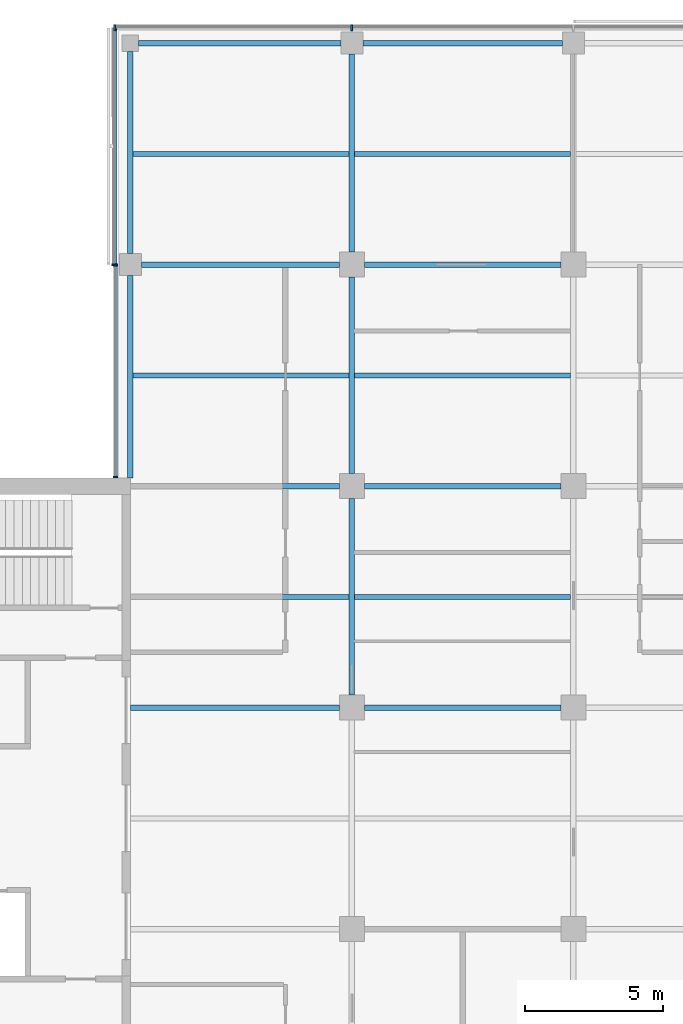
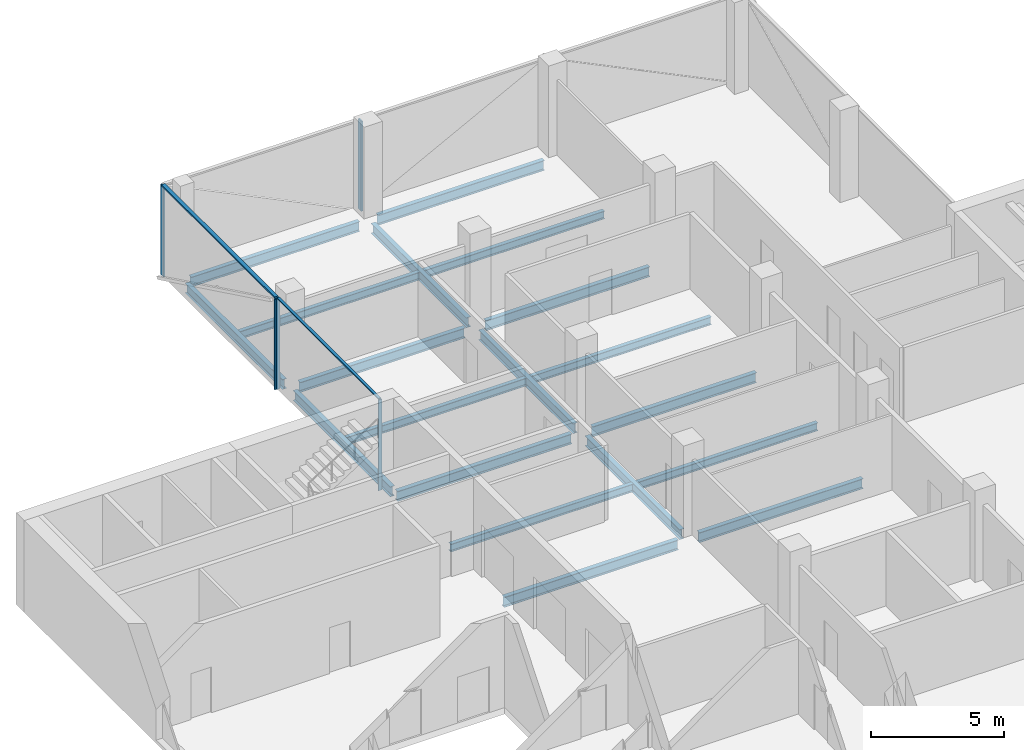
# One storey, part 5 of 15: 19 beams, 7 members, 3 elements without a shape of their own.
"""IFC4 building model written with IfcOpenShell, lengths in metres."""

from ifc_helpers import new_model, si_unit, direction, frame, origin, origin_2d, place, context, subcontext, project, spatial, rectangle, i_section, extrude, material, material_profile, profile_set, type_object, element, aggregate, save


model = new_model("IFC4")

# Units and contexts
model_context = context("Model", 3, precision=1e-05, world=origin(), true_north=direction((0.0, 1.0)))
body_context = subcontext(model_context, "Body", "Model", "MODEL_VIEW")
ifc_project = project(units=[si_unit("LENGTHUNIT", "METRE"), si_unit("AREAUNIT", "SQUARE_METRE"), si_unit("VOLUMEUNIT", "CUBIC_METRE"), si_unit("PLANEANGLEUNIT", "RADIAN"), si_unit("MASSUNIT", "GRAM", prefix="KILO")], contexts=[model_context])

# Site, building, storey
site_placement = place(None, origin())
site = spatial("IfcSite", under=ifc_project, at=site_placement, CompositionType="ELEMENT")
building_placement = place(site_placement, origin())
building = spatial("IfcBuilding", under=site, at=building_placement, Name="Crosswind Convention Tower", CompositionType="ELEMENT")
storey_placement = place(building_placement, frame((0.0, 0.0, 229.300048828125)))
storey = spatial("IfcBuildingStorey", under=building, at=storey_placement, Name="L49", CompositionType="ELEMENT", Elevation=229.300048828125)

# Beams
ifc_material_1 = material(Name="Steel S355", Category="steel")
ifc_material_profile_1 = material_profile(ifc_material_1, i_section(OverallWidth=0.18994140625, OverallDepth=0.45361328125, WebThickness=0.008544921875, FlangeThickness=0.0126953125, FilletRadius=0.01025390625, at=origin_2d()), Name="UB 457x191x67")
ifc_profile_set_1 = profile_set([ifc_material_profile_1], Name="Steel S355")
beam_type_1 = type_object("IfcBeamType", Name="Edge beam UB 457x191x67", PredefinedType="SPANDREL", material=ifc_profile_set_1)
for number, where, z_axis, x_axis, name in (
    (1, (113.0, 112.300048828125, -0.52685546875), (0.0, 1.0, 0.0), (-1.0, 0.0, 0.0), "B16 L49 edge beam 3"),
    (2, (113.0, 120.39990234375, -0.52685546875), (0.0, 1.0, 0.0), (-1.0, 0.0, 0.0), "B16 L49 edge beam 4"),
    (3, (113.300048828125, 128.0, -0.52685546875), (1.0, 0.0, 0.0), (0.0, 1.0, 0.0), "B16 L49 edge beam 6"),
):
    element("IfcBeam", number, at=place(storey_placement, frame(where, z_axis=z_axis, x_axis=x_axis)), inside=storey, type_object=beam_type_1, Name=name, PredefinedType="SPANDREL", context=body_context, shape_type="SweptSolid", body=[
        extrude(i_section(OverallWidth=0.18994140625, OverallDepth=0.45361328125, WebThickness=0.008544921875, FlangeThickness=0.0126953125, FilletRadius=0.01025390625, at=origin_2d()), origin(), (0.0, 0.0, 1.0), 7.300048828125),
    ])
beam_1_placement = place(storey_placement, frame((121.39990234375, 128.0, -0.52685546875), z_axis=(1.0, 0.0, 0.0), x_axis=(0.0, 1.0, 0.0)))
element("IfcBeam", 4, at=beam_1_placement, inside=storey, type_object=beam_type_1, Name="B16 L49 edge beam 8", PredefinedType="SPANDREL", context=body_context, shape_type="SweptSolid", body=[
    extrude(i_section(OverallWidth=0.18994140625, OverallDepth=0.45361328125, WebThickness=0.008544921875, FlangeThickness=0.0126953125, FilletRadius=0.01025390625, at=origin_2d()), origin(), (0.0, 0.0, 1.0), 7.2001953125),
])
ifc_material_profile_2 = material_profile(ifc_material_1, i_section(OverallWidth=0.1904296875, OverallDepth=0.457275390625, WebThickness=0.009033203125, FlangeThickness=0.014404296875, FilletRadius=0.01025390625, at=origin_2d()), Name="UB 457x191x75")
ifc_profile_set_2 = profile_set([ifc_material_profile_2], Name="Steel S355")
beam_type_2 = type_object("IfcBeamType", Name="Girder UB 457x191x75", PredefinedType="BEAM", material=ifc_profile_set_2)
beam_2_placement = place(storey_placement, frame((113.39990234375, 120.0, -0.528564453125), z_axis=(1.0, 0.0, 0.0), x_axis=(0.0, 1.0, 0.0)))
element("IfcBeam", 5, at=beam_2_placement, inside=storey, type_object=beam_type_2, Name="B2 L49 girder 2", PredefinedType="BEAM", context=body_context, shape_type="SweptSolid", body=[
    extrude(i_section(OverallWidth=0.1904296875, OverallDepth=0.457275390625, WebThickness=0.009033203125, FlangeThickness=0.014404296875, FilletRadius=0.01025390625, at=origin_2d()), origin(), (0.0, 0.0, 1.0), 7.150146484375),
])
for number, where, z_axis, x_axis, name in (
    (6, (121.0, 104.449951171875, -0.528564453125), (0.0, 1.0, 0.0), (-1.0, 0.0, 0.0), "B2 L49 girder 7"),
    (7, (121.0, 112.449951171875, -0.528564453125), (0.0, 1.0, 0.0), (-1.0, 0.0, 0.0), "B2 L49 girder 8"),
):
    element("IfcBeam", number, at=place(storey_placement, frame(where, z_axis=z_axis, x_axis=x_axis)), inside=storey, type_object=beam_type_2, Name=name, PredefinedType="BEAM", context=body_context, shape_type="SweptSolid", body=[
        extrude(i_section(OverallWidth=0.1904296875, OverallDepth=0.457275390625, WebThickness=0.009033203125, FlangeThickness=0.014404296875, FilletRadius=0.01025390625, at=origin_2d()), origin(), (0.0, 0.0, 1.0), 7.10009765625),
    ])
beam_3_placement = place(storey_placement, frame((121.0, 120.449951171875, -0.528564453125), z_axis=(0.0, 1.0, 0.0), x_axis=(-1.0, 0.0, 0.0)))
element("IfcBeam", 8, at=beam_3_placement, inside=storey, type_object=beam_type_2, Name="B2 L49 girder 9", PredefinedType="BEAM", context=body_context, shape_type="SweptSolid", body=[
    extrude(i_section(OverallWidth=0.1904296875, OverallDepth=0.457275390625, WebThickness=0.009033203125, FlangeThickness=0.014404296875, FilletRadius=0.01025390625, at=origin_2d()), origin(), (0.0, 0.0, 1.0), 7.150146484375),
])
for number, where, z_axis, x_axis, name in (
    (9, (121.449951171875, 104.0, -0.528564453125), (1.0, 0.0, 0.0), (0.0, 1.0, 0.0), "B2 L49 girder 13"),
    (10, (121.449951171875, 112.0, -0.528564453125), (1.0, 0.0, 0.0), (0.0, 1.0, 0.0), "B2 L49 girder 14"),
    (11, (121.449951171875, 120.0, -0.528564453125), (1.0, 0.0, 0.0), (0.0, 1.0, 0.0), "B2 L49 girder 15"),
):
    element("IfcBeam", number, at=place(storey_placement, frame(where, z_axis=z_axis, x_axis=x_axis)), inside=storey, type_object=beam_type_2, Name=name, PredefinedType="BEAM", context=body_context, shape_type="SweptSolid", body=[
        extrude(i_section(OverallWidth=0.1904296875, OverallDepth=0.457275390625, WebThickness=0.009033203125, FlangeThickness=0.014404296875, FilletRadius=0.01025390625, at=origin_2d()), origin(), (0.0, 0.0, 1.0), 7.10009765625),
    ])
ifc_material_profile_3 = material_profile(ifc_material_1, i_section(OverallWidth=0.19140625, OverallDepth=0.460205078125, WebThickness=0.010009765625, FlangeThickness=0.01611328125, FilletRadius=0.01025390625, at=origin_2d()), Name="UB 457x191x82")
ifc_profile_set_3 = profile_set([ifc_material_profile_3], Name="Steel S355")
beam_type_3 = type_object("IfcBeamType", Name="Girder at core wall UB 457x191x82", PredefinedType="BEAM", material=ifc_profile_set_3)
for number, where, z_axis, x_axis, name in (
    (12, (113.0, 104.0, -0.530029296875), (1.0, 0.0, 0.0), (0.0, 1.0, 0.0), "B23 L49 girder at core wall 3"),
    (13, (113.0, 112.0, -0.530029296875), (1.0, 0.0, 0.0), (0.0, 1.0, 0.0), "B23 L49 girder at core wall 4"),
):
    element("IfcBeam", number, at=place(storey_placement, frame(where, z_axis=z_axis, x_axis=x_axis)), inside=storey, type_object=beam_type_3, Name=name, PredefinedType="BEAM", context=body_context, shape_type="SweptSolid", body=[
        extrude(i_section(OverallWidth=0.19140625, OverallDepth=0.460205078125, WebThickness=0.010009765625, FlangeThickness=0.01611328125, FilletRadius=0.01025390625, at=origin_2d()), origin(), (0.0, 0.0, 1.0), 7.550048828125),
    ])

# Curtain wall, members
ifc_material_2 = material(Name="Aluminium unitised curtain wall", Category="aluminium")
curtain_wall_type_1 = type_object("IfcCurtainWallType", Name="CORE END SLOT WALL 160", PredefinedType="USERDEFINED", material=ifc_material_2)
curtain_wall_1_placement = place(storey_placement, origin())
curtain_wall_1 = element("IfcCurtainWall", 14, at=curtain_wall_1_placement, inside=storey, type_object=curtain_wall_type_1, Name="CW6 L49 N-W.1-2 slot", ObjectType="UNITISED", PredefinedType="USERDEFINED")
ifc_material_3 = material(Name="Aluminium mullion", Category="aluminium")
ifc_material_profile_4 = material_profile(ifc_material_3, rectangle(XDim=0.159912109375, YDim=0.050048828125, at=origin_2d()), Name="AL 160X50")
ifc_profile_set_4 = profile_set([ifc_material_profile_4], Name="Aluminium mullion")
member_type_1 = type_object("IfcMemberType", Name="MULLION 50X160", PredefinedType="MULLION", material=ifc_profile_set_4)
member_1_placement = place(storey_placement, frame((112.469970703125, 119.97509765625, -0.300048828125), z_axis=(0.0, 0.0, 1.0), x_axis=(-1.0, 0.0, 0.0)))
member_1 = element("IfcMember", 15, at=member_1_placement, type_object=member_type_1, Name="CW6 mullion 1", PredefinedType="MULLION", context=body_context, shape_type="SweptSolid", body=[
    extrude(rectangle(XDim=0.159912109375, YDim=0.050048828125, at=origin_2d()), origin(), (0.0, 0.0, 1.0), 4.14990234375),
])
member_2_placement = place(storey_placement, frame((112.469970703125, 112.324951171875, -0.300048828125), z_axis=(0.0, 0.0, 1.0), x_axis=(-1.0, 0.0, 0.0)))
member_2 = element("IfcMember", 16, at=member_2_placement, type_object=member_type_1, Name="CW6 mullion 2", PredefinedType="MULLION", context=body_context, shape_type="SweptSolid", body=[
    extrude(rectangle(XDim=0.159912109375, YDim=0.050048828125, at=origin_2d()), origin(), (0.0, 0.0, 1.0), 4.14990234375),
])

curtain_wall_type_2 = type_object("IfcCurtainWallType", Name="OFFICE UNITISED WALL 220", PredefinedType="USERDEFINED", material=ifc_material_2)
curtain_wall_2_placement = place(storey_placement, origin())
curtain_wall_2 = element("IfcCurtainWall", 17, at=curtain_wall_2_placement, inside=storey, type_object=curtain_wall_type_2, Name="CW3 L49 N-TIP 1", ObjectType="UNITISED", PredefinedType="USERDEFINED")
ifc_material_profile_5 = material_profile(ifc_material_3, rectangle(XDim=0.219970703125, YDim=0.070068359375, at=origin_2d()), Name="AL 220X70")
ifc_profile_set_5 = profile_set([ifc_material_profile_5], Name="Aluminium mullion")
member_type_2 = type_object("IfcMemberType", Name="MULLION 70X220", PredefinedType="MULLION", material=ifc_profile_set_5)
member_3_placement = place(storey_placement, frame((121.0, 128.56005859375, -0.300048828125), z_axis=(0.0, 0.0, 1.0), x_axis=(0.0, 1.0, 0.0)))
member_3 = element("IfcMember", 18, at=member_3_placement, type_object=member_type_2, Name="CW3 mullion 3", PredefinedType="MULLION", context=body_context, shape_type="SweptSolid", body=[
    extrude(rectangle(XDim=0.219970703125, YDim=0.070068359375, at=origin_2d()), origin(), (0.0, 0.0, 1.0), 4.1298828125),
])
member_4_placement = place(storey_placement, frame((112.43994140625, 128.56005859375, -0.300048828125), z_axis=(0.0, 0.0, 1.0), x_axis=(0.0, 1.0, 0.0)))
member_4 = element("IfcMember", 19, at=member_4_placement, type_object=member_type_2, Name="CW3 mullion 4", PredefinedType="MULLION", context=body_context, shape_type="SweptSolid", body=[
    extrude(rectangle(XDim=0.219970703125, YDim=0.070068359375, at=origin_2d()), origin(), (0.0, 0.0, 1.0), 4.1298828125),
])
aggregate(curtain_wall_2, [member_3, member_4])

# Curtain wall, member
curtain_wall_3_placement = place(storey_placement, origin())
curtain_wall_3 = element("IfcCurtainWall", 20, at=curtain_wall_3_placement, inside=storey, type_object=curtain_wall_type_2, Name="CW3 L49 N-W 1", ObjectType="UNITISED", PredefinedType="USERDEFINED")
member_5_placement = place(storey_placement, frame((112.43994140625, 120.0, -0.300048828125), z_axis=(0.0, 0.0, 1.0), x_axis=(-1.0, 0.0, 0.0)))
member_5 = element("IfcMember", 21, at=member_5_placement, type_object=member_type_2, Name="CW3 mullion 2", PredefinedType="MULLION", context=body_context, shape_type="SweptSolid", body=[
    extrude(rectangle(XDim=0.219970703125, YDim=0.070068359375, at=origin_2d()), origin(), (0.0, 0.0, 1.0), 4.1298828125),
])

# Beams
ifc_material_profile_6 = material_profile(ifc_material_1, i_section(OverallWidth=0.172119140625, OverallDepth=0.358642578125, WebThickness=0.008056640625, FlangeThickness=0.012939453125, FilletRadius=0.01025390625, at=origin_2d()), Name="UB 356x171x57")
ifc_profile_set_6 = profile_set([ifc_material_profile_6], Name="Steel S355")
beam_type_4 = type_object("IfcBeamType", Name="Secondary beam UB 356x171x57", PredefinedType="JOIST", material=ifc_profile_set_6)
beam_4_placement = place(storey_placement, frame((113.0, 108.0, -0.479248046875), z_axis=(1.0, 0.0, 0.0), x_axis=(0.0, 1.0, 0.0)))
element("IfcBeam", 22, at=beam_4_placement, inside=storey, type_object=beam_type_4, Name="B9 L49 secondary beam 3", PredefinedType="JOIST", context=body_context, shape_type="SweptSolid", body=[
    extrude(i_section(OverallWidth=0.172119140625, OverallDepth=0.358642578125, WebThickness=0.008056640625, FlangeThickness=0.012939453125, FilletRadius=0.01025390625, at=origin_2d()), origin(), (0.0, 0.0, 1.0), 7.90478515625),
])
for number, where, z_axis, x_axis, name in (
    (23, (113.094970703125, 116.0, -0.479248046875), (1.0, 0.0, 0.0), (0.0, 1.0, 0.0), "B9 L49 secondary beam 6"),
    (24, (113.094970703125, 124.0, -0.479248046875), (1.0, 0.0, 0.0), (0.0, 1.0, 0.0), "B9 L49 secondary beam 7"),
):
    element("IfcBeam", number, at=place(storey_placement, frame(where, z_axis=z_axis, x_axis=x_axis)), inside=storey, type_object=beam_type_4, Name=name, PredefinedType="JOIST", context=body_context, shape_type="SweptSolid", body=[
        extrude(i_section(OverallWidth=0.172119140625, OverallDepth=0.358642578125, WebThickness=0.008056640625, FlangeThickness=0.012939453125, FilletRadius=0.01025390625, at=origin_2d()), origin(), (0.0, 0.0, 1.0), 7.809814453125),
    ])
for number, where, z_axis, x_axis, name in (
    (25, (121.09521484375, 108.0, -0.479248046875), (1.0, 0.0, 0.0), (0.0, 1.0, 0.0), "B9 L49 secondary beam 12"),
    (26, (121.09521484375, 116.0, -0.479248046875), (1.0, 0.0, 0.0), (0.0, 1.0, 0.0), "B9 L49 secondary beam 13"),
    (27, (121.09521484375, 124.0, -0.479248046875), (1.0, 0.0, 0.0), (0.0, 1.0, 0.0), "B9 L49 secondary beam 14"),
):
    element("IfcBeam", number, at=place(storey_placement, frame(where, z_axis=z_axis, x_axis=x_axis)), inside=storey, type_object=beam_type_4, Name=name, PredefinedType="JOIST", context=body_context, shape_type="SweptSolid", body=[
        extrude(i_section(OverallWidth=0.172119140625, OverallDepth=0.358642578125, WebThickness=0.008056640625, FlangeThickness=0.012939453125, FilletRadius=0.01025390625, at=origin_2d()), origin(), (0.0, 0.0, 1.0), 7.8095703125),
    ])

# Member
ifc_material_4 = material(Name="Aluminium transom", Category="aluminium")
ifc_material_profile_7 = material_profile(ifc_material_4, rectangle(XDim=0.1201171875, YDim=0.050048828125, at=origin_2d()), Name="AL 120X50")
ifc_profile_set_7 = profile_set([ifc_material_profile_7], Name="Aluminium transom")
member_type_3 = type_object("IfcMemberType", Name="TRANSOM 50X120", PredefinedType="USERDEFINED", material=ifc_profile_set_7)
member_6_placement = place(storey_placement, frame((112.469970703125, 119.949951171875, 3.875), z_axis=(0.0, -1.0, 0.0), x_axis=(1.0, 0.0, 0.0)))
member_6 = element("IfcMember", 28, at=member_6_placement, type_object=member_type_3, Name="CW6 transom", ObjectType="TRANSOM", PredefinedType="USERDEFINED", context=body_context, shape_type="SweptSolid", body=[
    extrude(rectangle(XDim=0.1201171875, YDim=0.050048828125, at=origin_2d()), origin(), (0.0, 0.0, 1.0), 7.599853515625),
])

aggregate(curtain_wall_1, [member_1, member_2, member_6])

ifc_material_profile_8 = material_profile(ifc_material_4, rectangle(XDim=0.159912109375, YDim=0.070068359375, at=origin_2d()), Name="AL 160X70")
ifc_profile_set_8 = profile_set([ifc_material_profile_8], Name="Aluminium transom")
member_type_4 = type_object("IfcMemberType", Name="TRANSOM 70X160", PredefinedType="USERDEFINED", material=ifc_profile_set_8)
member_7_placement = place(storey_placement, frame((112.43994140625, 128.52490234375, 3.864990234375), z_axis=(0.0, -1.0, 0.0), x_axis=(1.0, 0.0, 0.0)))
member_7 = element("IfcMember", 29, at=member_7_placement, type_object=member_type_4, Name="CW3 transom", ObjectType="TRANSOM", PredefinedType="USERDEFINED", context=body_context, shape_type="SweptSolid", body=[
    extrude(rectangle(XDim=0.159912109375, YDim=0.070068359375, at=origin_2d()), origin(), (0.0, 0.0, 1.0), 8.489990234375),
])

aggregate(curtain_wall_3, [member_5, member_7])

save(model, "model.ifc")
